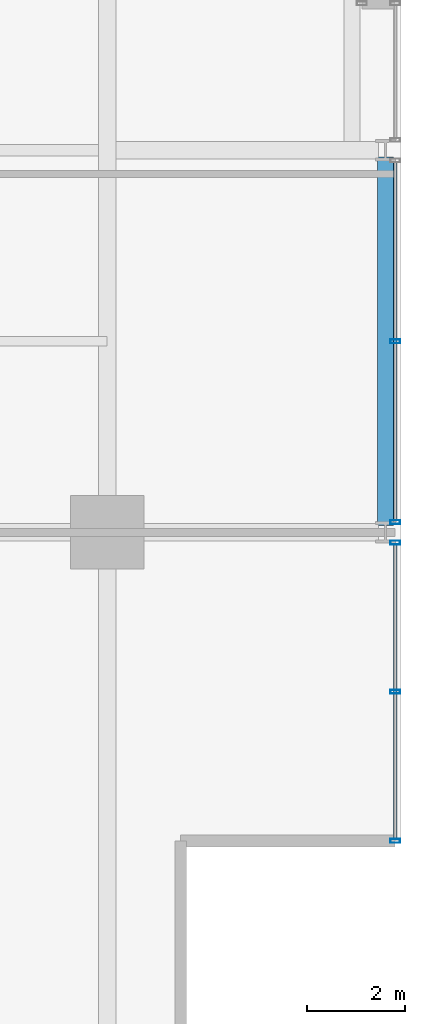
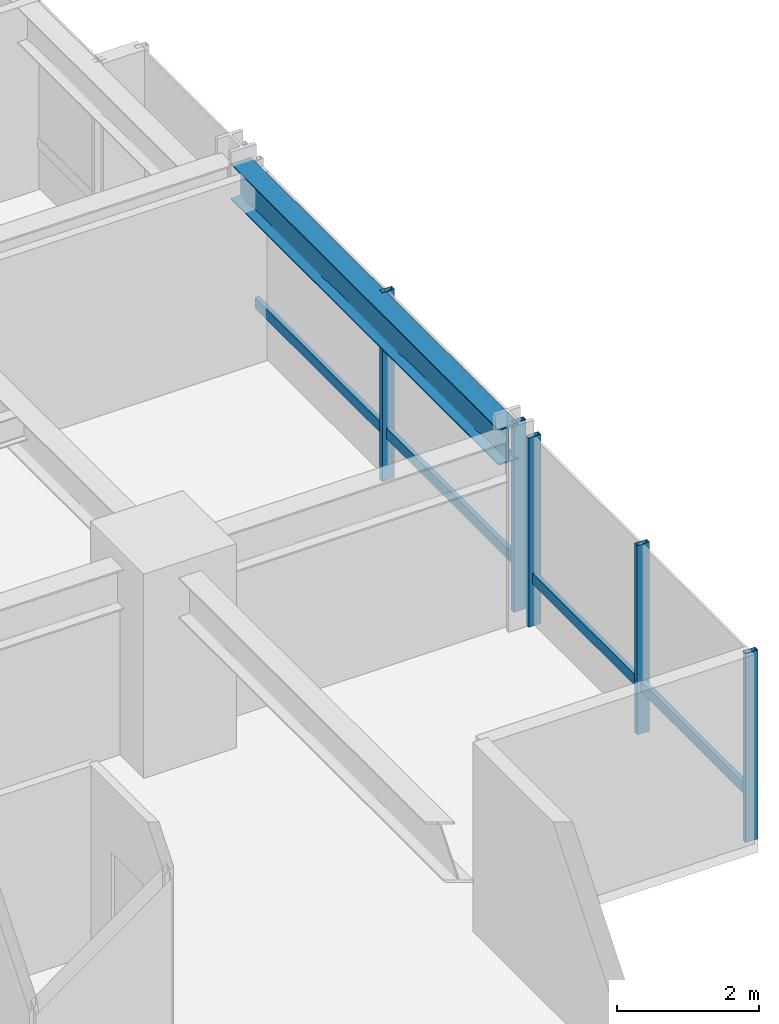
# One storey, part 13 of 34: 7 members, 1 beam, 2 elements without a shape of their own.
"""IFC4 building model written with IfcOpenShell, lengths in metres."""

from ifc_helpers import new_model, si_unit, direction, frame, origin, origin_2d, place, context, subcontext, project, spatial, hollow_rectangle, i_section, extrude, material, layer, layer_set, material_profile, profile_set, type_object, element, aggregate, save


model = new_model("IFC4")

# Units and contexts
model_context = context("Model", 3, precision=1e-05, world=origin(), true_north=direction((0.0, 1.0)))
body_context = subcontext(model_context, "Body", "Model", "MODEL_VIEW")
ifc_project = project(units=[si_unit("LENGTHUNIT", "METRE"), si_unit("AREAUNIT", "SQUARE_METRE"), si_unit("VOLUMEUNIT", "CUBIC_METRE"), si_unit("PLANEANGLEUNIT", "RADIAN"), si_unit("MASSUNIT", "GRAM", prefix="KILO")], contexts=[model_context])

# Site, building, storey
site_placement = place(None, origin())
site = spatial("IfcSite", under=ifc_project, at=site_placement, CompositionType="ELEMENT")
building_placement = place(site_placement, origin())
building = spatial("IfcBuilding", under=site, at=building_placement, Name="Drelvath Grand Hotel", CompositionType="ELEMENT")
storey_placement = place(building_placement, frame((0.0, 0.0, 126.800048828125)))
storey = spatial("IfcBuildingStorey", under=building, at=storey_placement, Name="L32", CompositionType="ELEMENT", Elevation=126.800048828125)

# Curtain wall, member
ifc_material_1 = material(Name="Champagne Bronze Anodised Aluminium Frame", Category="aluminium")
ifc_layer = layer(ifc_material_1, 0.199951171875)
ifc_layer_set = layer_set([ifc_layer], Name="Champagne Bronze Anodised Aluminium Frame")
curtain_wall_type = type_object("IfcCurtainWallType", Name="Stick Curtain Wall CW-03 Champagne Bronze Mid-Rise", PredefinedType="NOTDEFINED", material=ifc_layer_set)
curtain_wall_1_placement = place(storey_placement, origin())
curtain_wall_1 = element("IfcCurtainWall", 1, at=curtain_wall_1_placement, inside=storey, type_object=curtain_wall_type, Name="L32 CW-03 Curtain Wall CW03-L32-ES1", PredefinedType="NOTDEFINED")
ifc_material_profile_1 = material_profile(ifc_material_1, hollow_rectangle(XDim=0.074951171875, YDim=0.179931640625, WallThickness=0.0048828125, at=origin_2d()), Name="HSS180X75X5")
ifc_profile_set_1 = profile_set([ifc_material_profile_1], Name="Champagne Bronze Anodised Aluminium Frame")
member_type_1 = type_object("IfcMemberType", Name="Curtain Wall Horizontal Transom CW-03 HSS180X75X5", PredefinedType="USERDEFINED", material=ifc_profile_set_1)
member_1_placement = place(storey_placement, frame((22.080078125, 10.550537109375, 0.81005859375), z_axis=(0.0, -1.0, 0.0), x_axis=(1.0, 0.0, 0.0)))
member_1 = element("IfcMember", 2, at=member_1_placement, type_object=member_type_1, Name="CW03-L32-ES1 Sill Transom", ObjectType="TRANSOM", PredefinedType="USERDEFINED", context=body_context, shape_type="SweptSolid", body=[
    extrude(hollow_rectangle(XDim=0.074951171875, YDim=0.179931640625, WallThickness=0.0048828125, at=origin_2d()), origin(), (0.0, 0.0, 1.0), 6.010498046875),
])

curtain_wall_2_placement = place(storey_placement, origin())
curtain_wall_2 = element("IfcCurtainWall", 3, at=curtain_wall_2_placement, inside=storey, type_object=curtain_wall_type, Name="L32 CW-03 Curtain Wall CW03-L32-ES2", PredefinedType="NOTDEFINED")
member_2_placement = place(storey_placement, frame((22.080078125, 18.3505859375, 0.81005859375), z_axis=(0.0, -1.0, 0.0), x_axis=(1.0, 0.0, 0.0)))
member_2 = element("IfcMember", 4, at=member_2_placement, type_object=member_type_1, Name="CW03-L32-ES2 Sill Transom", ObjectType="TRANSOM", PredefinedType="USERDEFINED", context=body_context, shape_type="SweptSolid", body=[
    extrude(hollow_rectangle(XDim=0.074951171875, YDim=0.179931640625, WallThickness=0.0048828125, at=origin_2d()), origin(), (0.0, 0.0, 1.0), 7.30126953125),
])

# Member
ifc_material_profile_2 = material_profile(ifc_material_1, hollow_rectangle(XDim=0.080078125, YDim=0.199951171875, WallThickness=0.0048828125, at=origin_2d()), Name="HSS200X80X5")
ifc_profile_set_2 = profile_set([ifc_material_profile_2], Name="Champagne Bronze Anodised Aluminium Frame")
member_type_2 = type_object("IfcMemberType", Name="Curtain Wall Vertical Mullion CW-03 HSS200X80X5", PredefinedType="MULLION", material=ifc_profile_set_2)
member_3_placement = place(storey_placement, frame((22.080078125, 10.590576171875, 0.0), z_axis=(0.0, 0.0, 1.0), x_axis=(0.0, 1.0, 0.0)))
member_3 = element("IfcMember", 5, at=member_3_placement, type_object=member_type_2, Name="CW03-L32-ES1 Mullion 1", PredefinedType="MULLION", context=body_context, shape_type="SweptSolid", body=[
    extrude(hollow_rectangle(XDim=0.080078125, YDim=0.199951171875, WallThickness=0.0048828125, at=origin_2d()), origin(), (0.0, 0.0, 1.0), 3.239990234375),
])

member_4_placement = place(storey_placement, frame((22.080078125, 7.54541015625, 0.0), z_axis=(0.0, 0.0, 1.0), x_axis=(0.0, 1.0, 0.0)))
member_4 = element("IfcMember", 6, at=member_4_placement, type_object=member_type_2, Name="CW03-L32-ES1 Mullion 2", PredefinedType="MULLION", context=body_context, shape_type="SweptSolid", body=[
    extrude(hollow_rectangle(XDim=0.080078125, YDim=0.199951171875, WallThickness=0.0048828125, at=origin_2d()), origin(), (0.0, 0.0, 1.0), 3.239990234375),
])

member_5_placement = place(storey_placement, frame((22.080078125, 4.5, 0.0), z_axis=(0.0, 0.0, 1.0), x_axis=(0.0, 1.0, 0.0)))
member_5 = element("IfcMember", 7, at=member_5_placement, type_object=member_type_2, Name="CW03-L32-ES1 Mullion 3", PredefinedType="MULLION", context=body_context, shape_type="SweptSolid", body=[
    extrude(hollow_rectangle(XDim=0.080078125, YDim=0.199951171875, WallThickness=0.0048828125, at=origin_2d()), origin(), (0.0, 0.0, 1.0), 3.239990234375),
])

aggregate(curtain_wall_1, [member_3, member_4, member_5, member_1])

member_6_placement = place(storey_placement, frame((22.080078125, 14.699951171875, 0.0), z_axis=(0.0, 0.0, 1.0), x_axis=(0.0, 1.0, 0.0)))
member_6 = element("IfcMember", 8, at=member_6_placement, type_object=member_type_2, Name="CW03-L32-ES2 Mullion 2", PredefinedType="MULLION", context=body_context, shape_type="SweptSolid", body=[
    extrude(hollow_rectangle(XDim=0.080078125, YDim=0.199951171875, WallThickness=0.0048828125, at=origin_2d()), origin(), (0.0, 0.0, 1.0), 3.239990234375),
])

member_7_placement = place(storey_placement, frame((22.080078125, 11.009521484375, 0.0), z_axis=(0.0, 0.0, 1.0), x_axis=(0.0, 1.0, 0.0)))
member_7 = element("IfcMember", 9, at=member_7_placement, type_object=member_type_2, Name="CW03-L32-ES2 Mullion 3", PredefinedType="MULLION", context=body_context, shape_type="SweptSolid", body=[
    extrude(hollow_rectangle(XDim=0.080078125, YDim=0.199951171875, WallThickness=0.0048828125, at=origin_2d()), origin(), (0.0, 0.0, 1.0), 3.239990234375),
])

aggregate(curtain_wall_2, [member_6, member_7, member_2])

# Beam
ifc_material_2 = material(Name="Steel ASTM A992 Gr 50", Category="steel")
ifc_material_profile_3 = material_profile(ifc_material_2, i_section(OverallWidth=0.323974609375, OverallDepth=0.611083984375, WebThickness=0.0126953125, FlangeThickness=0.01904296875, FilletRadius=0.02197265625, at=origin_2d()), Name="W24X104")
ifc_profile_set_3 = profile_set([ifc_material_profile_3], Name="Steel ASTM A992 Gr 50")
beam_type = type_object("IfcBeamType", Name="Perimeter Spandrel Beam W24X104", PredefinedType="SPANDREL", material=ifc_profile_set_3)
beam_placement = place(storey_placement, frame((21.8798828125, 10.93994140625, 2.934326171875), z_axis=(0.0, 1.0, 0.0), x_axis=(-1.0, 0.0, 0.0)))
element("IfcBeam", 10, at=beam_placement, inside=storey, type_object=beam_type, Name="L32 Spandrel East S", PredefinedType="SPANDREL", context=body_context, shape_type="SweptSolid", body=[
    extrude(i_section(OverallWidth=0.323974609375, OverallDepth=0.611083984375, WebThickness=0.0126953125, FlangeThickness=0.01904296875, FilletRadius=0.02197265625, at=origin_2d()), origin(), (0.0, 0.0, 1.0), 7.52001953125),
])

save(model, "model.ifc")
